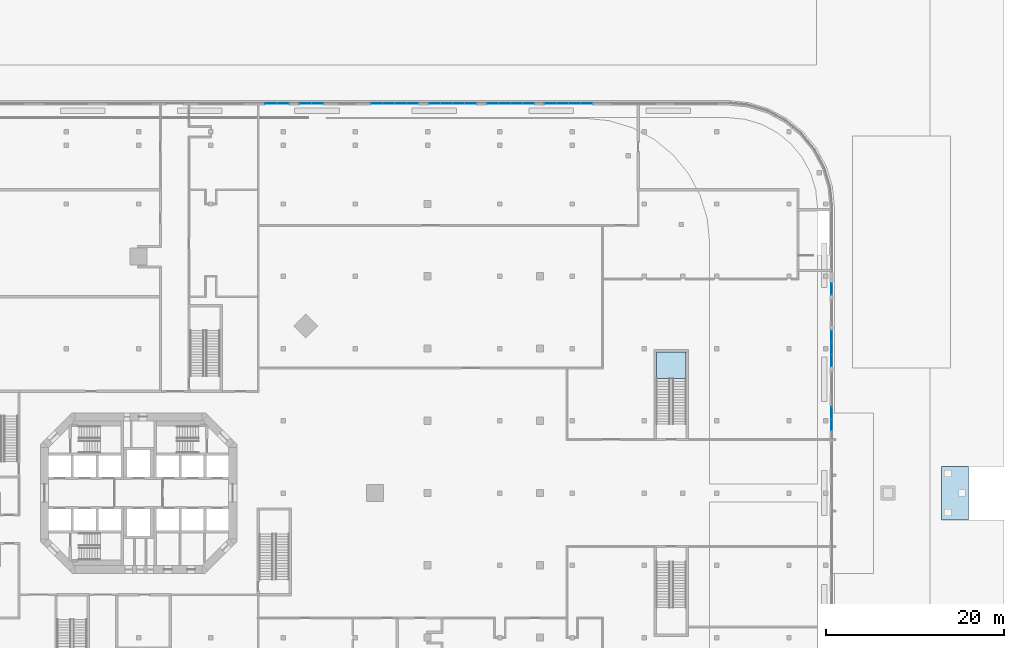
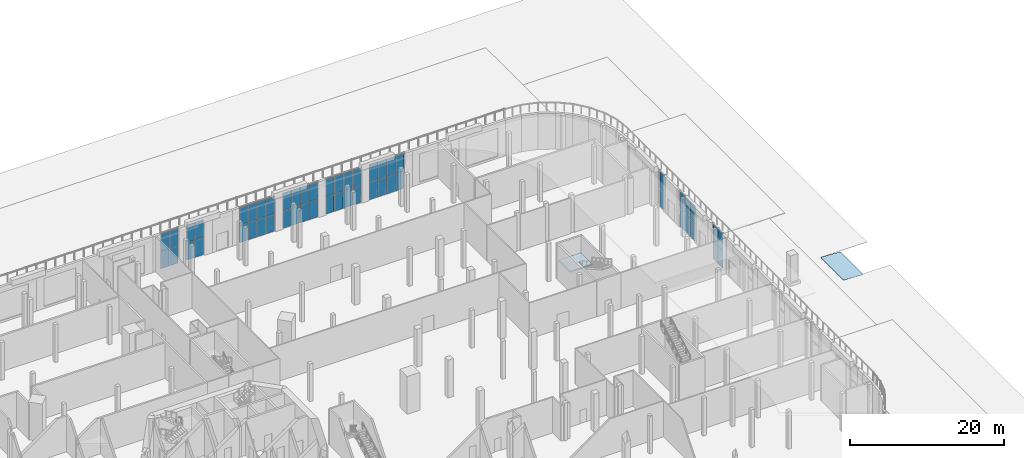
# One storey, part 12 of 32: 52 plates, 2 slabs, 10 elements without a shape of their own.
"""IFC4 building model written with IfcOpenShell, lengths in metres."""

from ifc_helpers import new_model, si_unit, direction, frame, origin, origin_2d, place, context, subcontext, project, spatial, polyline, rectangle, outline, extrude, material, layer, layer_set, type_object, element, aggregate, save


model = new_model("IFC4")

# Units and contexts
model_context = context("Model", 3, precision=1e-05, world=origin(), true_north=direction((0.0, 1.0)))
body_context = subcontext(model_context, "Body", "Model", "MODEL_VIEW")
ifc_project = project(units=[si_unit("LENGTHUNIT", "METRE"), si_unit("AREAUNIT", "SQUARE_METRE"), si_unit("VOLUMEUNIT", "CUBIC_METRE"), si_unit("PLANEANGLEUNIT", "RADIAN"), si_unit("MASSUNIT", "GRAM", prefix="KILO")], contexts=[model_context])

# Site, building, storey
site_placement = place(None, origin())
site = spatial("IfcSite", under=ifc_project, at=site_placement, CompositionType="ELEMENT")
building_placement = place(site_placement, origin())
building = spatial("IfcBuilding", under=site, at=building_placement, Name="Torre Triforio", CompositionType="ELEMENT")
storey_placement = place(building_placement, origin())
storey = spatial("IfcBuildingStorey", under=building, at=storey_placement, Name="L00", CompositionType="ELEMENT", Elevation=0.0)

# Curtain wall, plates
ifc_material_1 = material(Name="Aluminium mullion and transom frame with clear laminated glass", Category="aluminium")
curtain_wall_type = type_object("IfcCurtainWallType", Name="Garden cafe curtain wall ECW6", PredefinedType="NOTDEFINED", material=ifc_material_1)
curtain_wall_1_placement = place(storey_placement, origin())
curtain_wall_1 = element("IfcCurtainWall", 1, at=curtain_wall_1_placement, inside=storey, type_object=curtain_wall_type, Name="Garden cafe curtain wall L00 09.10.2.1", PredefinedType="NOTDEFINED")
ifc_material_2 = material(Name="Clear laminated glass", Category="glass")
ifc_layer_1 = layer(ifc_material_2, 0.02392578125)
ifc_layer_set_1 = layer_set([ifc_layer_1], Name="Clear laminated glass")
plate_type = type_object("IfcPlateType", Name="ECW6 glass panel 24", PredefinedType="CURTAIN_PANEL", material=ifc_layer_set_1)
plate_1_placement = place(storey_placement, frame((77.675048828125, 7.66259765625, 0.05029296875), z_axis=(0.0, 0.0, 1.0), x_axis=(0.0, 1.0, 0.0)))
plate_1 = element("IfcPlate", 2, at=plate_1_placement, type_object=plate_type, Name="ECW6 panel 1.1", PredefinedType="CURTAIN_PANEL", context=body_context, shape_type="SweptSolid", body=[
    extrude(rectangle(XDim=1.27490234375, YDim=0.02392578125, at=origin_2d()), origin(), (0.0, 0.0, 1.0), 2.764892578125),
])
plate_2_placement = place(storey_placement, frame((77.675048828125, 7.66259765625, 2.865234375), z_axis=(0.0, 0.0, 1.0), x_axis=(0.0, 1.0, 0.0)))
plate_2 = element("IfcPlate", 3, at=plate_2_placement, type_object=plate_type, Name="ECW6 panel 1.2", PredefinedType="CURTAIN_PANEL", context=body_context, shape_type="SweptSolid", body=[
    extrude(rectangle(XDim=1.27490234375, YDim=0.02392578125, at=origin_2d()), origin(), (0.0, 0.0, 1.0), 2.764892578125),
])
plate_3_placement = place(storey_placement, frame((77.675048828125, 8.987548828125, 0.05029296875), z_axis=(0.0, 0.0, 1.0), x_axis=(0.0, 1.0, 0.0)))
plate_3 = element("IfcPlate", 4, at=plate_3_placement, type_object=plate_type, Name="ECW6 panel 2.1", PredefinedType="CURTAIN_PANEL", context=body_context, shape_type="SweptSolid", body=[
    extrude(rectangle(XDim=1.27490234375, YDim=0.02392578125, at=origin_2d()), origin(), (0.0, 0.0, 1.0), 2.764892578125),
])
plate_4_placement = place(storey_placement, frame((77.675048828125, 8.987548828125, 2.865234375), z_axis=(0.0, 0.0, 1.0), x_axis=(0.0, 1.0, 0.0)))
plate_4 = element("IfcPlate", 5, at=plate_4_placement, type_object=plate_type, Name="ECW6 panel 2.2", PredefinedType="CURTAIN_PANEL", context=body_context, shape_type="SweptSolid", body=[
    extrude(rectangle(XDim=1.27490234375, YDim=0.02392578125, at=origin_2d()), origin(), (0.0, 0.0, 1.0), 2.764892578125),
])
aggregate(curtain_wall_1, [plate_1, plate_2, plate_3, plate_4])

curtain_wall_2_placement = place(storey_placement, origin())
curtain_wall_2 = element("IfcCurtainWall", 6, at=curtain_wall_2_placement, inside=storey, type_object=curtain_wall_type, Name="Garden cafe curtain wall L00 09.12.1.1", PredefinedType="NOTDEFINED")
plate_5_placement = place(storey_placement, frame((77.675048828125, 14.862548828125, 0.05029296875), z_axis=(0.0, 0.0, 1.0), x_axis=(0.0, 1.0, 0.0)))
plate_5 = element("IfcPlate", 7, at=plate_5_placement, type_object=plate_type, Name="ECW6 panel 1.1", PredefinedType="CURTAIN_PANEL", context=body_context, shape_type="SweptSolid", body=[
    extrude(rectangle(XDim=1.27490234375, YDim=0.02392578125, at=origin_2d()), origin(), (0.0, 0.0, 1.0), 2.764892578125),
])
plate_6_placement = place(storey_placement, frame((77.675048828125, 14.862548828125, 2.865234375), z_axis=(0.0, 0.0, 1.0), x_axis=(0.0, 1.0, 0.0)))
plate_6 = element("IfcPlate", 8, at=plate_6_placement, type_object=plate_type, Name="ECW6 panel 1.2", PredefinedType="CURTAIN_PANEL", context=body_context, shape_type="SweptSolid", body=[
    extrude(rectangle(XDim=1.27490234375, YDim=0.02392578125, at=origin_2d()), origin(), (0.0, 0.0, 1.0), 2.764892578125),
])
plate_7_placement = place(storey_placement, frame((77.675048828125, 16.199951171875, 0.05029296875), z_axis=(0.0, 0.0, 1.0), x_axis=(0.0, 1.0, 0.0)))
plate_7 = element("IfcPlate", 9, at=plate_7_placement, type_object=plate_type, Name="ECW6 panel 2.1", PredefinedType="CURTAIN_PANEL", context=body_context, shape_type="SweptSolid", body=[
    extrude(rectangle(XDim=1.300048828125, YDim=0.02392578125, at=origin_2d()), origin(), (0.0, 0.0, 1.0), 2.764892578125),
])
plate_8_placement = place(storey_placement, frame((77.675048828125, 16.199951171875, 2.865234375), z_axis=(0.0, 0.0, 1.0), x_axis=(0.0, 1.0, 0.0)))
plate_8 = element("IfcPlate", 10, at=plate_8_placement, type_object=plate_type, Name="ECW6 panel 2.2", PredefinedType="CURTAIN_PANEL", context=body_context, shape_type="SweptSolid", body=[
    extrude(rectangle(XDim=1.300048828125, YDim=0.02392578125, at=origin_2d()), origin(), (0.0, 0.0, 1.0), 2.764892578125),
])
plate_9_placement = place(storey_placement, frame((77.675048828125, 17.53759765625, 0.05029296875), z_axis=(0.0, 0.0, 1.0), x_axis=(0.0, 1.0, 0.0)))
plate_9 = element("IfcPlate", 11, at=plate_9_placement, type_object=plate_type, Name="ECW6 panel 3.1", PredefinedType="CURTAIN_PANEL", context=body_context, shape_type="SweptSolid", body=[
    extrude(rectangle(XDim=1.27490234375, YDim=0.02392578125, at=origin_2d()), origin(), (0.0, 0.0, 1.0), 2.764892578125),
])
plate_10_placement = place(storey_placement, frame((77.675048828125, 17.53759765625, 2.865234375), z_axis=(0.0, 0.0, 1.0), x_axis=(0.0, 1.0, 0.0)))
plate_10 = element("IfcPlate", 12, at=plate_10_placement, type_object=plate_type, Name="ECW6 panel 3.2", PredefinedType="CURTAIN_PANEL", context=body_context, shape_type="SweptSolid", body=[
    extrude(rectangle(XDim=1.27490234375, YDim=0.02392578125, at=origin_2d()), origin(), (0.0, 0.0, 1.0), 2.764892578125),
])
aggregate(curtain_wall_2, [plate_5, plate_6, plate_7, plate_8, plate_9, plate_10])

curtain_wall_3_placement = place(storey_placement, origin())
curtain_wall_3 = element("IfcCurtainWall", 13, at=curtain_wall_3_placement, inside=storey, type_object=curtain_wall_type, Name="Garden cafe curtain wall L00 09.14.1.1", PredefinedType="NOTDEFINED")
plate_11_placement = place(storey_placement, frame((77.675048828125, 22.875, 0.05029296875), z_axis=(0.0, 0.0, 1.0), x_axis=(0.0, 1.0, 0.0)))
plate_11 = element("IfcPlate", 14, at=plate_11_placement, type_object=plate_type, Name="ECW6 panel 1.1", PredefinedType="CURTAIN_PANEL", context=body_context, shape_type="SweptSolid", body=[
    extrude(rectangle(XDim=1.25, YDim=0.02392578125, at=origin_2d()), origin(), (0.0, 0.0, 1.0), 2.764892578125),
])
plate_12_placement = place(storey_placement, frame((77.675048828125, 22.875, 2.865234375), z_axis=(0.0, 0.0, 1.0), x_axis=(0.0, 1.0, 0.0)))
plate_12 = element("IfcPlate", 15, at=plate_12_placement, type_object=plate_type, Name="ECW6 panel 1.2", PredefinedType="CURTAIN_PANEL", context=body_context, shape_type="SweptSolid", body=[
    extrude(rectangle(XDim=1.25, YDim=0.02392578125, at=origin_2d()), origin(), (0.0, 0.0, 1.0), 2.764892578125),
])
aggregate(curtain_wall_3, [plate_11, plate_12])

curtain_wall_4_placement = place(storey_placement, origin())
curtain_wall_4 = element("IfcCurtainWall", 16, at=curtain_wall_4_placement, inside=storey, type_object=curtain_wall_type, Name="Garden cafe curtain wall L00 18.1.2.1", PredefinedType="NOTDEFINED")
plate_13_placement = place(storey_placement, frame((50.21240234375, 43.675048828125, 0.05029296875), z_axis=(0.0, 0.0, 1.0), x_axis=(-1.0, 0.0, 0.0)))
plate_13 = element("IfcPlate", 17, at=plate_13_placement, type_object=plate_type, Name="ECW6 panel 1.1", PredefinedType="CURTAIN_PANEL", context=body_context, shape_type="SweptSolid", body=[
    extrude(rectangle(XDim=1.27490234375, YDim=0.02392578125, at=origin_2d()), origin(), (0.0, 0.0, 1.0), 2.764892578125),
])
plate_14_placement = place(storey_placement, frame((50.21240234375, 43.675048828125, 2.865234375), z_axis=(0.0, 0.0, 1.0), x_axis=(-1.0, 0.0, 0.0)))
plate_14 = element("IfcPlate", 18, at=plate_14_placement, type_object=plate_type, Name="ECW6 panel 1.2", PredefinedType="CURTAIN_PANEL", context=body_context, shape_type="SweptSolid", body=[
    extrude(rectangle(XDim=1.27490234375, YDim=0.02392578125, at=origin_2d()), origin(), (0.0, 0.0, 1.0), 2.764892578125),
])
plate_15_placement = place(storey_placement, frame((48.875, 43.675048828125, 0.05029296875), z_axis=(0.0, 0.0, 1.0), x_axis=(-1.0, 0.0, 0.0)))
plate_15 = element("IfcPlate", 19, at=plate_15_placement, type_object=plate_type, Name="ECW6 panel 2.1", PredefinedType="CURTAIN_PANEL", context=body_context, shape_type="SweptSolid", body=[
    extrude(rectangle(XDim=1.300048828125, YDim=0.02392578125, at=origin_2d()), origin(), (0.0, 0.0, 1.0), 2.764892578125),
])
plate_16_placement = place(storey_placement, frame((48.875, 43.675048828125, 2.865234375), z_axis=(0.0, 0.0, 1.0), x_axis=(-1.0, 0.0, 0.0)))
plate_16 = element("IfcPlate", 20, at=plate_16_placement, type_object=plate_type, Name="ECW6 panel 2.2", PredefinedType="CURTAIN_PANEL", context=body_context, shape_type="SweptSolid", body=[
    extrude(rectangle(XDim=1.300048828125, YDim=0.02392578125, at=origin_2d()), origin(), (0.0, 0.0, 1.0), 2.764892578125),
])
plate_17_placement = place(storey_placement, frame((47.52490234375, 43.675048828125, 0.05029296875), z_axis=(0.0, 0.0, 1.0), x_axis=(-1.0, 0.0, 0.0)))
plate_17 = element("IfcPlate", 21, at=plate_17_placement, type_object=plate_type, Name="ECW6 panel 3.1", PredefinedType="CURTAIN_PANEL", context=body_context, shape_type="SweptSolid", body=[
    extrude(rectangle(XDim=1.300048828125, YDim=0.02392578125, at=origin_2d()), origin(), (0.0, 0.0, 1.0), 2.764892578125),
])
plate_18_placement = place(storey_placement, frame((47.52490234375, 43.675048828125, 2.865234375), z_axis=(0.0, 0.0, 1.0), x_axis=(-1.0, 0.0, 0.0)))
plate_18 = element("IfcPlate", 22, at=plate_18_placement, type_object=plate_type, Name="ECW6 panel 3.2", PredefinedType="CURTAIN_PANEL", context=body_context, shape_type="SweptSolid", body=[
    extrude(rectangle(XDim=1.300048828125, YDim=0.02392578125, at=origin_2d()), origin(), (0.0, 0.0, 1.0), 2.764892578125),
])
plate_19_placement = place(storey_placement, frame((46.1875, 43.675048828125, 0.05029296875), z_axis=(0.0, 0.0, 1.0), x_axis=(-1.0, 0.0, 0.0)))
plate_19 = element("IfcPlate", 23, at=plate_19_placement, type_object=plate_type, Name="ECW6 panel 4.1", PredefinedType="CURTAIN_PANEL", context=body_context, shape_type="SweptSolid", body=[
    extrude(rectangle(XDim=1.27490234375, YDim=0.02392578125, at=origin_2d()), origin(), (0.0, 0.0, 1.0), 2.764892578125),
])
plate_20_placement = place(storey_placement, frame((46.1875, 43.675048828125, 2.865234375), z_axis=(0.0, 0.0, 1.0), x_axis=(-1.0, 0.0, 0.0)))
plate_20 = element("IfcPlate", 24, at=plate_20_placement, type_object=plate_type, Name="ECW6 panel 4.2", PredefinedType="CURTAIN_PANEL", context=body_context, shape_type="SweptSolid", body=[
    extrude(rectangle(XDim=1.27490234375, YDim=0.02392578125, at=origin_2d()), origin(), (0.0, 0.0, 1.0), 2.764892578125),
])
aggregate(curtain_wall_4, [plate_13, plate_14, plate_15, plate_16, plate_17, plate_18, plate_19, plate_20])

curtain_wall_5_placement = place(storey_placement, origin())
curtain_wall_5 = element("IfcCurtainWall", 25, at=curtain_wall_5_placement, inside=storey, type_object=curtain_wall_type, Name="Garden cafe curtain wall L00 18.1.2.2", PredefinedType="NOTDEFINED")
plate_21_placement = place(storey_placement, frame((43.71240234375, 43.675048828125, 0.05029296875), z_axis=(0.0, 0.0, 1.0), x_axis=(-1.0, 0.0, 0.0)))
plate_21 = element("IfcPlate", 26, at=plate_21_placement, type_object=plate_type, Name="ECW6 panel 1.1", PredefinedType="CURTAIN_PANEL", context=body_context, shape_type="SweptSolid", body=[
    extrude(rectangle(XDim=1.27490234375, YDim=0.02392578125, at=origin_2d()), origin(), (0.0, 0.0, 1.0), 2.764892578125),
])
plate_22_placement = place(storey_placement, frame((43.71240234375, 43.675048828125, 2.865234375), z_axis=(0.0, 0.0, 1.0), x_axis=(-1.0, 0.0, 0.0)))
plate_22 = element("IfcPlate", 27, at=plate_22_placement, type_object=plate_type, Name="ECW6 panel 1.2", PredefinedType="CURTAIN_PANEL", context=body_context, shape_type="SweptSolid", body=[
    extrude(rectangle(XDim=1.27490234375, YDim=0.02392578125, at=origin_2d()), origin(), (0.0, 0.0, 1.0), 2.764892578125),
])
plate_23_placement = place(storey_placement, frame((42.375, 43.675048828125, 0.05029296875), z_axis=(0.0, 0.0, 1.0), x_axis=(-1.0, 0.0, 0.0)))
plate_23 = element("IfcPlate", 28, at=plate_23_placement, type_object=plate_type, Name="ECW6 panel 2.1", PredefinedType="CURTAIN_PANEL", context=body_context, shape_type="SweptSolid", body=[
    extrude(rectangle(XDim=1.300048828125, YDim=0.02392578125, at=origin_2d()), origin(), (0.0, 0.0, 1.0), 2.764892578125),
])
plate_24_placement = place(storey_placement, frame((42.375, 43.675048828125, 2.865234375), z_axis=(0.0, 0.0, 1.0), x_axis=(-1.0, 0.0, 0.0)))
plate_24 = element("IfcPlate", 29, at=plate_24_placement, type_object=plate_type, Name="ECW6 panel 2.2", PredefinedType="CURTAIN_PANEL", context=body_context, shape_type="SweptSolid", body=[
    extrude(rectangle(XDim=1.300048828125, YDim=0.02392578125, at=origin_2d()), origin(), (0.0, 0.0, 1.0), 2.764892578125),
])
plate_25_placement = place(storey_placement, frame((41.02490234375, 43.675048828125, 0.05029296875), z_axis=(0.0, 0.0, 1.0), x_axis=(-1.0, 0.0, 0.0)))
plate_25 = element("IfcPlate", 30, at=plate_25_placement, type_object=plate_type, Name="ECW6 panel 3.1", PredefinedType="CURTAIN_PANEL", context=body_context, shape_type="SweptSolid", body=[
    extrude(rectangle(XDim=1.300048828125, YDim=0.02392578125, at=origin_2d()), origin(), (0.0, 0.0, 1.0), 2.764892578125),
])
plate_26_placement = place(storey_placement, frame((41.02490234375, 43.675048828125, 2.865234375), z_axis=(0.0, 0.0, 1.0), x_axis=(-1.0, 0.0, 0.0)))
plate_26 = element("IfcPlate", 31, at=plate_26_placement, type_object=plate_type, Name="ECW6 panel 3.2", PredefinedType="CURTAIN_PANEL", context=body_context, shape_type="SweptSolid", body=[
    extrude(rectangle(XDim=1.300048828125, YDim=0.02392578125, at=origin_2d()), origin(), (0.0, 0.0, 1.0), 2.764892578125),
])
plate_27_placement = place(storey_placement, frame((39.6875, 43.675048828125, 0.05029296875), z_axis=(0.0, 0.0, 1.0), x_axis=(-1.0, 0.0, 0.0)))
plate_27 = element("IfcPlate", 32, at=plate_27_placement, type_object=plate_type, Name="ECW6 panel 4.1", PredefinedType="CURTAIN_PANEL", context=body_context, shape_type="SweptSolid", body=[
    extrude(rectangle(XDim=1.27490234375, YDim=0.02392578125, at=origin_2d()), origin(), (0.0, 0.0, 1.0), 2.764892578125),
])
plate_28_placement = place(storey_placement, frame((39.6875, 43.675048828125, 2.865234375), z_axis=(0.0, 0.0, 1.0), x_axis=(-1.0, 0.0, 0.0)))
plate_28 = element("IfcPlate", 33, at=plate_28_placement, type_object=plate_type, Name="ECW6 panel 4.2", PredefinedType="CURTAIN_PANEL", context=body_context, shape_type="SweptSolid", body=[
    extrude(rectangle(XDim=1.27490234375, YDim=0.02392578125, at=origin_2d()), origin(), (0.0, 0.0, 1.0), 2.764892578125),
])
aggregate(curtain_wall_5, [plate_21, plate_22, plate_23, plate_24, plate_25, plate_26, plate_27, plate_28])

curtain_wall_6_placement = place(storey_placement, origin())
curtain_wall_6 = element("IfcCurtainWall", 34, at=curtain_wall_6_placement, inside=storey, type_object=curtain_wall_type, Name="Garden cafe curtain wall L00 18.1.2.3", PredefinedType="NOTDEFINED")
plate_29_placement = place(storey_placement, frame((37.21240234375, 43.675048828125, 0.05029296875), z_axis=(0.0, 0.0, 1.0), x_axis=(-1.0, 0.0, 0.0)))
plate_29 = element("IfcPlate", 35, at=plate_29_placement, type_object=plate_type, Name="ECW6 panel 1.1", PredefinedType="CURTAIN_PANEL", context=body_context, shape_type="SweptSolid", body=[
    extrude(rectangle(XDim=1.27490234375, YDim=0.02392578125, at=origin_2d()), origin(), (0.0, 0.0, 1.0), 2.764892578125),
])
plate_30_placement = place(storey_placement, frame((37.21240234375, 43.675048828125, 2.865234375), z_axis=(0.0, 0.0, 1.0), x_axis=(-1.0, 0.0, 0.0)))
plate_30 = element("IfcPlate", 36, at=plate_30_placement, type_object=plate_type, Name="ECW6 panel 1.2", PredefinedType="CURTAIN_PANEL", context=body_context, shape_type="SweptSolid", body=[
    extrude(rectangle(XDim=1.27490234375, YDim=0.02392578125, at=origin_2d()), origin(), (0.0, 0.0, 1.0), 2.764892578125),
])
plate_31_placement = place(storey_placement, frame((35.875, 43.675048828125, 0.05029296875), z_axis=(0.0, 0.0, 1.0), x_axis=(-1.0, 0.0, 0.0)))
plate_31 = element("IfcPlate", 37, at=plate_31_placement, type_object=plate_type, Name="ECW6 panel 2.1", PredefinedType="CURTAIN_PANEL", context=body_context, shape_type="SweptSolid", body=[
    extrude(rectangle(XDim=1.300048828125, YDim=0.02392578125, at=origin_2d()), origin(), (0.0, 0.0, 1.0), 2.764892578125),
])
plate_32_placement = place(storey_placement, frame((35.875, 43.675048828125, 2.865234375), z_axis=(0.0, 0.0, 1.0), x_axis=(-1.0, 0.0, 0.0)))
plate_32 = element("IfcPlate", 38, at=plate_32_placement, type_object=plate_type, Name="ECW6 panel 2.2", PredefinedType="CURTAIN_PANEL", context=body_context, shape_type="SweptSolid", body=[
    extrude(rectangle(XDim=1.300048828125, YDim=0.02392578125, at=origin_2d()), origin(), (0.0, 0.0, 1.0), 2.764892578125),
])
plate_33_placement = place(storey_placement, frame((34.52490234375, 43.675048828125, 0.05029296875), z_axis=(0.0, 0.0, 1.0), x_axis=(-1.0, 0.0, 0.0)))
plate_33 = element("IfcPlate", 39, at=plate_33_placement, type_object=plate_type, Name="ECW6 panel 3.1", PredefinedType="CURTAIN_PANEL", context=body_context, shape_type="SweptSolid", body=[
    extrude(rectangle(XDim=1.300048828125, YDim=0.02392578125, at=origin_2d()), origin(), (0.0, 0.0, 1.0), 2.764892578125),
])
plate_34_placement = place(storey_placement, frame((34.52490234375, 43.675048828125, 2.865234375), z_axis=(0.0, 0.0, 1.0), x_axis=(-1.0, 0.0, 0.0)))
plate_34 = element("IfcPlate", 40, at=plate_34_placement, type_object=plate_type, Name="ECW6 panel 3.2", PredefinedType="CURTAIN_PANEL", context=body_context, shape_type="SweptSolid", body=[
    extrude(rectangle(XDim=1.300048828125, YDim=0.02392578125, at=origin_2d()), origin(), (0.0, 0.0, 1.0), 2.764892578125),
])
plate_35_placement = place(storey_placement, frame((33.1875, 43.675048828125, 0.05029296875), z_axis=(0.0, 0.0, 1.0), x_axis=(-1.0, 0.0, 0.0)))
plate_35 = element("IfcPlate", 41, at=plate_35_placement, type_object=plate_type, Name="ECW6 panel 4.1", PredefinedType="CURTAIN_PANEL", context=body_context, shape_type="SweptSolid", body=[
    extrude(rectangle(XDim=1.27490234375, YDim=0.02392578125, at=origin_2d()), origin(), (0.0, 0.0, 1.0), 2.764892578125),
])
plate_36_placement = place(storey_placement, frame((33.1875, 43.675048828125, 2.865234375), z_axis=(0.0, 0.0, 1.0), x_axis=(-1.0, 0.0, 0.0)))
plate_36 = element("IfcPlate", 42, at=plate_36_placement, type_object=plate_type, Name="ECW6 panel 4.2", PredefinedType="CURTAIN_PANEL", context=body_context, shape_type="SweptSolid", body=[
    extrude(rectangle(XDim=1.27490234375, YDim=0.02392578125, at=origin_2d()), origin(), (0.0, 0.0, 1.0), 2.764892578125),
])
aggregate(curtain_wall_6, [plate_29, plate_30, plate_31, plate_32, plate_33, plate_34, plate_35, plate_36])

curtain_wall_7_placement = place(storey_placement, origin())
curtain_wall_7 = element("IfcCurtainWall", 43, at=curtain_wall_7_placement, inside=storey, type_object=curtain_wall_type, Name="Garden cafe curtain wall L00 18.1.2.4", PredefinedType="NOTDEFINED")
plate_37_placement = place(storey_placement, frame((30.71240234375, 43.675048828125, 0.05029296875), z_axis=(0.0, 0.0, 1.0), x_axis=(-1.0, 0.0, 0.0)))
plate_37 = element("IfcPlate", 44, at=plate_37_placement, type_object=plate_type, Name="ECW6 panel 1.1", PredefinedType="CURTAIN_PANEL", context=body_context, shape_type="SweptSolid", body=[
    extrude(rectangle(XDim=1.27490234375, YDim=0.02392578125, at=origin_2d()), origin(), (0.0, 0.0, 1.0), 2.764892578125),
])
plate_38_placement = place(storey_placement, frame((30.71240234375, 43.675048828125, 2.865234375), z_axis=(0.0, 0.0, 1.0), x_axis=(-1.0, 0.0, 0.0)))
plate_38 = element("IfcPlate", 45, at=plate_38_placement, type_object=plate_type, Name="ECW6 panel 1.2", PredefinedType="CURTAIN_PANEL", context=body_context, shape_type="SweptSolid", body=[
    extrude(rectangle(XDim=1.27490234375, YDim=0.02392578125, at=origin_2d()), origin(), (0.0, 0.0, 1.0), 2.764892578125),
])
plate_39_placement = place(storey_placement, frame((29.375, 43.675048828125, 0.05029296875), z_axis=(0.0, 0.0, 1.0), x_axis=(-1.0, 0.0, 0.0)))
plate_39 = element("IfcPlate", 46, at=plate_39_placement, type_object=plate_type, Name="ECW6 panel 2.1", PredefinedType="CURTAIN_PANEL", context=body_context, shape_type="SweptSolid", body=[
    extrude(rectangle(XDim=1.300048828125, YDim=0.02392578125, at=origin_2d()), origin(), (0.0, 0.0, 1.0), 2.764892578125),
])
plate_40_placement = place(storey_placement, frame((29.375, 43.675048828125, 2.865234375), z_axis=(0.0, 0.0, 1.0), x_axis=(-1.0, 0.0, 0.0)))
plate_40 = element("IfcPlate", 47, at=plate_40_placement, type_object=plate_type, Name="ECW6 panel 2.2", PredefinedType="CURTAIN_PANEL", context=body_context, shape_type="SweptSolid", body=[
    extrude(rectangle(XDim=1.300048828125, YDim=0.02392578125, at=origin_2d()), origin(), (0.0, 0.0, 1.0), 2.764892578125),
])
plate_41_placement = place(storey_placement, frame((28.02490234375, 43.675048828125, 0.05029296875), z_axis=(0.0, 0.0, 1.0), x_axis=(-1.0, 0.0, 0.0)))
plate_41 = element("IfcPlate", 48, at=plate_41_placement, type_object=plate_type, Name="ECW6 panel 3.1", PredefinedType="CURTAIN_PANEL", context=body_context, shape_type="SweptSolid", body=[
    extrude(rectangle(XDim=1.300048828125, YDim=0.02392578125, at=origin_2d()), origin(), (0.0, 0.0, 1.0), 2.764892578125),
])
plate_42_placement = place(storey_placement, frame((28.02490234375, 43.675048828125, 2.865234375), z_axis=(0.0, 0.0, 1.0), x_axis=(-1.0, 0.0, 0.0)))
plate_42 = element("IfcPlate", 49, at=plate_42_placement, type_object=plate_type, Name="ECW6 panel 3.2", PredefinedType="CURTAIN_PANEL", context=body_context, shape_type="SweptSolid", body=[
    extrude(rectangle(XDim=1.300048828125, YDim=0.02392578125, at=origin_2d()), origin(), (0.0, 0.0, 1.0), 2.764892578125),
])
plate_43_placement = place(storey_placement, frame((26.6875, 43.675048828125, 0.05029296875), z_axis=(0.0, 0.0, 1.0), x_axis=(-1.0, 0.0, 0.0)))
plate_43 = element("IfcPlate", 50, at=plate_43_placement, type_object=plate_type, Name="ECW6 panel 4.1", PredefinedType="CURTAIN_PANEL", context=body_context, shape_type="SweptSolid", body=[
    extrude(rectangle(XDim=1.27490234375, YDim=0.02392578125, at=origin_2d()), origin(), (0.0, 0.0, 1.0), 2.764892578125),
])
plate_44_placement = place(storey_placement, frame((26.6875, 43.675048828125, 2.865234375), z_axis=(0.0, 0.0, 1.0), x_axis=(-1.0, 0.0, 0.0)))
plate_44 = element("IfcPlate", 51, at=plate_44_placement, type_object=plate_type, Name="ECW6 panel 4.2", PredefinedType="CURTAIN_PANEL", context=body_context, shape_type="SweptSolid", body=[
    extrude(rectangle(XDim=1.27490234375, YDim=0.02392578125, at=origin_2d()), origin(), (0.0, 0.0, 1.0), 2.764892578125),
])
aggregate(curtain_wall_7, [plate_37, plate_38, plate_39, plate_40, plate_41, plate_42, plate_43, plate_44])

curtain_wall_8_placement = place(storey_placement, origin())
curtain_wall_8 = element("IfcCurtainWall", 52, at=curtain_wall_8_placement, inside=storey, type_object=curtain_wall_type, Name="Garden cafe curtain wall L00 18.3.1.1", PredefinedType="NOTDEFINED")
plate_45_placement = place(storey_placement, frame((20.0458984375, 43.675048828125, 0.05029296875), z_axis=(0.0, 0.0, 1.0), x_axis=(-1.0, 0.0, 0.0)))
plate_45 = element("IfcPlate", 53, at=plate_45_placement, type_object=plate_type, Name="ECW6 panel 1.1", PredefinedType="CURTAIN_PANEL", context=body_context, shape_type="SweptSolid", body=[
    extrude(rectangle(XDim=1.27490234375, YDim=0.02392578125, at=origin_2d()), origin(), (0.0, 0.0, 1.0), 2.764892578125),
])
plate_46_placement = place(storey_placement, frame((20.0458984375, 43.675048828125, 2.865234375), z_axis=(0.0, 0.0, 1.0), x_axis=(-1.0, 0.0, 0.0)))
plate_46 = element("IfcPlate", 54, at=plate_46_placement, type_object=plate_type, Name="ECW6 panel 1.2", PredefinedType="CURTAIN_PANEL", context=body_context, shape_type="SweptSolid", body=[
    extrude(rectangle(XDim=1.27490234375, YDim=0.02392578125, at=origin_2d()), origin(), (0.0, 0.0, 1.0), 2.764892578125),
])
plate_47_placement = place(storey_placement, frame((18.720703125, 43.675048828125, 0.05029296875), z_axis=(0.0, 0.0, 1.0), x_axis=(-1.0, 0.0, 0.0)))
plate_47 = element("IfcPlate", 55, at=plate_47_placement, type_object=plate_type, Name="ECW6 panel 2.1", PredefinedType="CURTAIN_PANEL", context=body_context, shape_type="SweptSolid", body=[
    extrude(rectangle(XDim=1.27490234375, YDim=0.02392578125, at=origin_2d()), origin(), (0.0, 0.0, 1.0), 2.764892578125),
])
plate_48_placement = place(storey_placement, frame((18.720703125, 43.675048828125, 2.865234375), z_axis=(0.0, 0.0, 1.0), x_axis=(-1.0, 0.0, 0.0)))
plate_48 = element("IfcPlate", 56, at=plate_48_placement, type_object=plate_type, Name="ECW6 panel 2.2", PredefinedType="CURTAIN_PANEL", context=body_context, shape_type="SweptSolid", body=[
    extrude(rectangle(XDim=1.27490234375, YDim=0.02392578125, at=origin_2d()), origin(), (0.0, 0.0, 1.0), 2.764892578125),
])
aggregate(curtain_wall_8, [plate_45, plate_46, plate_47, plate_48])

curtain_wall_9_placement = place(storey_placement, origin())
curtain_wall_9 = element("IfcCurtainWall", 57, at=curtain_wall_9_placement, inside=storey, type_object=curtain_wall_type, Name="Garden cafe curtain wall L00 18.3.1.2", PredefinedType="NOTDEFINED")
plate_49_placement = place(storey_placement, frame((16.17919921875, 43.675048828125, 0.05029296875), z_axis=(0.0, 0.0, 1.0), x_axis=(-1.0, 0.0, 0.0)))
plate_49 = element("IfcPlate", 58, at=plate_49_placement, type_object=plate_type, Name="ECW6 panel 1.1", PredefinedType="CURTAIN_PANEL", context=body_context, shape_type="SweptSolid", body=[
    extrude(rectangle(XDim=1.27490234375, YDim=0.02392578125, at=origin_2d()), origin(), (0.0, 0.0, 1.0), 2.764892578125),
])
plate_50_placement = place(storey_placement, frame((16.17919921875, 43.675048828125, 2.865234375), z_axis=(0.0, 0.0, 1.0), x_axis=(-1.0, 0.0, 0.0)))
plate_50 = element("IfcPlate", 59, at=plate_50_placement, type_object=plate_type, Name="ECW6 panel 1.2", PredefinedType="CURTAIN_PANEL", context=body_context, shape_type="SweptSolid", body=[
    extrude(rectangle(XDim=1.27490234375, YDim=0.02392578125, at=origin_2d()), origin(), (0.0, 0.0, 1.0), 2.764892578125),
])
plate_51_placement = place(storey_placement, frame((14.854248046875, 43.675048828125, 0.05029296875), z_axis=(0.0, 0.0, 1.0), x_axis=(-1.0, 0.0, 0.0)))
plate_51 = element("IfcPlate", 60, at=plate_51_placement, type_object=plate_type, Name="ECW6 panel 2.1", PredefinedType="CURTAIN_PANEL", context=body_context, shape_type="SweptSolid", body=[
    extrude(rectangle(XDim=1.27490234375, YDim=0.02392578125, at=origin_2d()), origin(), (0.0, 0.0, 1.0), 2.764892578125),
])
plate_52_placement = place(storey_placement, frame((14.854248046875, 43.675048828125, 2.865234375), z_axis=(0.0, 0.0, 1.0), x_axis=(-1.0, 0.0, 0.0)))
plate_52 = element("IfcPlate", 61, at=plate_52_placement, type_object=plate_type, Name="ECW6 panel 2.2", PredefinedType="CURTAIN_PANEL", context=body_context, shape_type="SweptSolid", body=[
    extrude(rectangle(XDim=1.27490234375, YDim=0.02392578125, at=origin_2d()), origin(), (0.0, 0.0, 1.0), 2.764892578125),
])
aggregate(curtain_wall_9, [plate_49, plate_50, plate_51, plate_52])

# Stair, slab
ifc_material_3 = material(Name="Concrete C40", Category="concrete")
stair_type = type_object("IfcStairType", Name="Egress stair 1400 clear", PredefinedType="NOTDEFINED", material=ifc_material_3)
stair_placement = place(storey_placement, origin())
stair = element("IfcStair", 62, at=stair_placement, inside=storey, type_object=stair_type, Name="Exit stair PS5 L00 to L01", PredefinedType="NOTDEFINED")
ifc_layer_2 = layer(ifc_material_3, 0.199951171875)
ifc_layer_set_2 = layer_set([ifc_layer_2], Name="Concrete C40")
slab_type_1 = type_object("IfcSlabType", Name="Egress stair landing 200", PredefinedType="LANDING", material=ifc_layer_set_2)
slab_1_placement = place(storey_placement, frame((0.0, 0.0, 2.800048828125)))
slab_1 = element("IfcSlab", 63, at=slab_1_placement, type_object=slab_type_1, Name="PS5 landing 1", PredefinedType="LANDING", context=body_context, shape_type="SweptSolid", body=[
    extrude(outline(polyline([(58.02490234375, 12.824951171875), (61.375, 12.824951171875), (61.375, 15.824951171875), (58.02490234375, 15.824951171875), (58.02490234375, 12.824951171875)])), origin(), (0.0, 0.0, 1.0), 0.199951171875),
])
aggregate(stair, [slab_1])

# Slab
ifc_material_4 = material(Name="Granite paving on permeable bedding", Category="masonry")
ifc_layer_3 = layer(ifc_material_4, 0.050048828125)
ifc_layer_set_3 = layer_set([ifc_layer_3], Name="Granite paving on permeable bedding")
slab_type_2 = type_object("IfcSlabType", Name="Step-free apron 1 in 20", PredefinedType="USERDEFINED", material=ifc_layer_set_3)
slab_2_placement = place(storey_placement, frame((90.0, -3.0, 0.0), z_axis=(0.049905186472, 0.0, 0.998753959874), x_axis=(0.998753959874, 0.0, -0.049905186472)))
element("IfcSlab", 64, at=slab_2_placement, inside=storey, type_object=slab_type_2, Name="Step-free apron at the avenue", ObjectType="PAVING", PredefinedType="USERDEFINED", context=body_context, shape_type="SweptSolid", body=[
    extrude(outline(polyline([(0.0, 0.0), (3.003742784038231, 0.0), (3.003742784038231, 6.0), (0.0, 6.0), (0.0, 0.0)])), origin(), (0.0, 0.0, -1.0), 0.050048828125),
])

save(model, "model.ifc")
